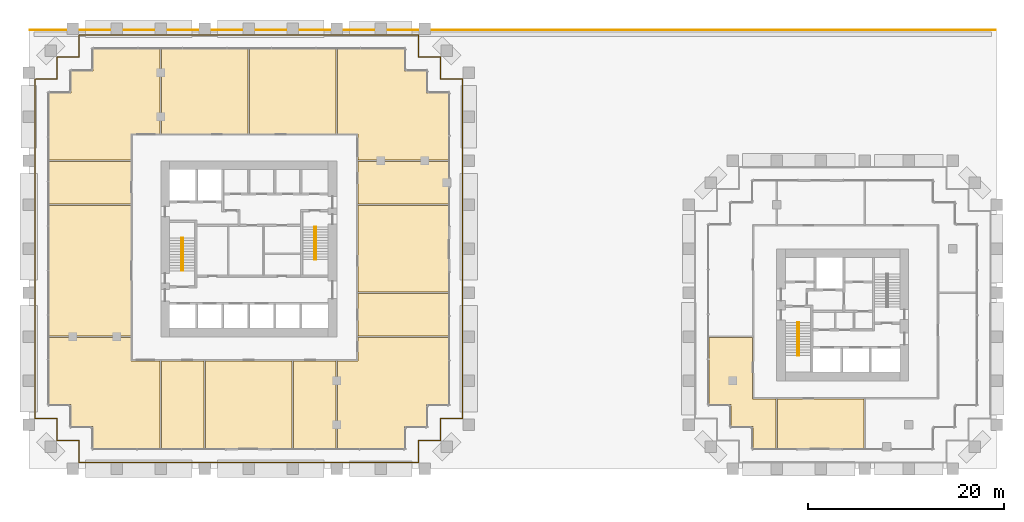
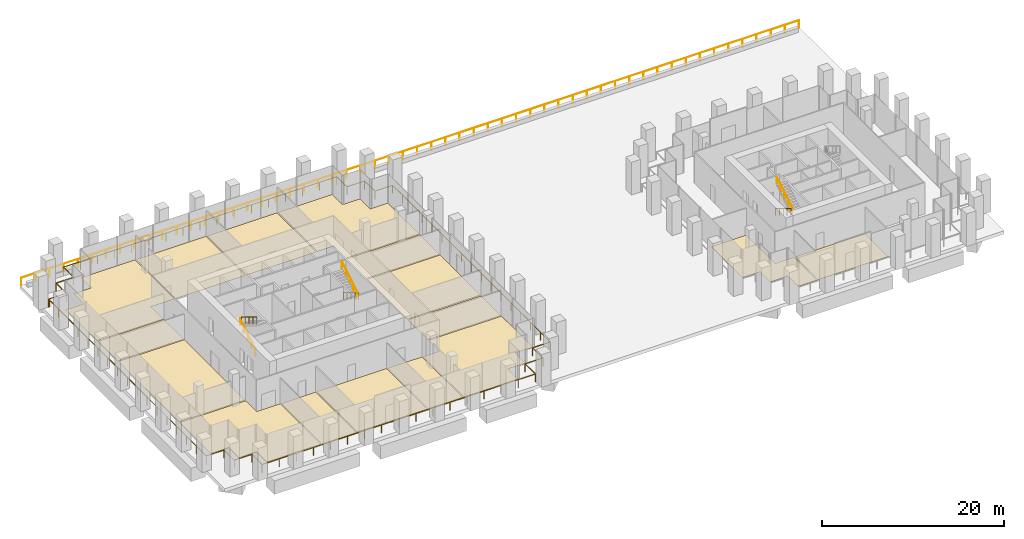
# One storey, part 31 of 32: 16 coverings, 8 railings.
"""IFC4 building model written with IfcOpenShell, lengths in metres."""

from ifc_helpers import new_model, si_unit, direction, frame, origin, origin_2d, place, context, subcontext, project, spatial, polyline, circle, outline, extrude, source, transform, mapped, material, layer, layer_set, type_object, element, save


model = new_model("IFC4")

# Units and contexts
model_context = context("Model", 3, precision=1e-05, world=origin(), true_north=direction((0.0, 1.0)))
body_context = subcontext(model_context, "Body", "Model", "MODEL_VIEW")
ifc_project = project(units=[si_unit("LENGTHUNIT", "METRE"), si_unit("AREAUNIT", "SQUARE_METRE"), si_unit("VOLUMEUNIT", "CUBIC_METRE"), si_unit("PLANEANGLEUNIT", "RADIAN"), si_unit("MASSUNIT", "GRAM", prefix="KILO")], contexts=[model_context])

# Site, building, storey
site_placement = place(None, origin())
site = spatial("IfcSite", under=ifc_project, at=site_placement, CompositionType="ELEMENT")
building_placement = place(site_placement, origin())
building = spatial("IfcBuilding", under=site, at=building_placement, Name="Altepetl Exchange Towers", CompositionType="ELEMENT")
storey_placement = place(building_placement, frame((0.0, 0.0, 21.0)))
storey = spatial("IfcBuildingStorey", under=building, at=storey_placement, Name="L04", CompositionType="ELEMENT", Elevation=21.0)

# Coverings
ifc_material_1 = material(Name="Carpet tile")
ifc_layer_1 = layer(ifc_material_1, 0.02001953125)
ifc_layer_set_1 = layer_set([ifc_layer_1], Name="Carpet tile")
covering_type_1 = type_object("IfcCoveringType", Name="Carpet tile floor", PredefinedType="FLOORING", material=ifc_layer_set_1)
covering_1_placement = place(storey_placement, origin())
element("IfcCovering", 1, at=covering_1_placement, inside=storey, type_object=covering_type_1, Name="Quiet room floor finish A04.03", PredefinedType="FLOORING", context=body_context, shape_type="SweptSolid", body=[
    extrude(outline(polyline([(44.9375, 29.0625), (44.9375, 38.03759765625), (40.5625, 38.03759765625), (40.5625, 29.0625), (44.9375, 29.0625)])), origin(), (0.0, 0.0, 1.0), 0.02001953125),
])
covering_2_placement = place(storey_placement, origin())
element("IfcCovering", 2, at=covering_2_placement, inside=storey, type_object=covering_type_1, Name="Pantry floor finish A04.05", PredefinedType="FLOORING", context=body_context, shape_type="SweptSolid", body=[
    extrude(outline(polyline([(58.4375, 29.0625), (58.4375, 38.03759765625), (54.0625, 38.03759765625), (54.0625, 29.0625), (58.4375, 29.0625)])), origin(), (0.0, 0.0, 1.0), 0.02001953125),
])
covering_3_placement = place(storey_placement, origin())
element("IfcCovering", 3, at=covering_3_placement, inside=storey, type_object=covering_type_1, Name="Open office floor finish A04.06", PredefinedType="FLOORING", context=body_context, shape_type="SweptSolid", body=[
    extrude(outline(polyline([(58.5625, 29.0625), (65.4375, 29.0625), (65.4375, 31.3125), (67.6875, 31.3125), (67.6875, 33.5625), (69.9375, 33.5625), (69.9375, 40.4375), (60.66259765625, 40.4375), (60.66259765625, 38.03759765625), (58.5625, 38.03759765625), (58.5625, 29.0625)])), origin(), (0.0, 0.0, 1.0), 0.02001953125),
])
covering_4_placement = place(storey_placement, origin())
element("IfcCovering", 4, at=covering_4_placement, inside=storey, type_object=covering_type_1, Name="Interview room floor finish A04.07", PredefinedType="FLOORING", context=body_context, shape_type="SweptSolid", body=[
    extrude(outline(polyline([(69.9375, 44.9375), (60.66259765625, 44.9375), (60.66259765625, 40.5625), (69.9375, 40.5625), (69.9375, 44.9375)])), origin(), (0.0, 0.0, 1.0), 0.02001953125),
])
covering_5_placement = place(storey_placement, origin())
element("IfcCovering", 5, at=covering_5_placement, inside=storey, type_object=covering_type_1, Name="Open office floor finish A04.11", PredefinedType="FLOORING", context=body_context, shape_type="SweptSolid", body=[
    extrude(outline(polyline([(49.5625, 69.9375), (49.5625, 61.262451171875), (58.4375, 61.262451171875), (58.4375, 69.9375), (49.5625, 69.9375)])), origin(), (0.0, 0.0, 1.0), 0.02001953125),
])
covering_6_placement = place(storey_placement, origin())
element("IfcCovering", 6, at=covering_6_placement, inside=storey, type_object=covering_type_1, Name="Meeting room floor finish A04.12", PredefinedType="FLOORING", context=body_context, shape_type="SweptSolid", body=[
    extrude(outline(polyline([(40.5625, 69.9375), (40.5625, 61.262451171875), (49.4375, 61.262451171875), (49.4375, 69.9375), (40.5625, 69.9375)])), origin(), (0.0, 0.0, 1.0), 0.02001953125),
])
covering_7_placement = place(storey_placement, origin())
element("IfcCovering", 7, at=covering_7_placement, inside=storey, type_object=covering_type_1, Name="Open office floor finish A04.13", PredefinedType="FLOORING", context=body_context, shape_type="SweptSolid", body=[
    extrude(outline(polyline([(33.5625, 67.6875), (31.3125, 67.6875), (31.3125, 65.4375), (29.0625, 65.4375), (29.0625, 58.5625), (37.4375, 58.5625), (37.4375, 61.262451171875), (40.4375, 61.262451171875), (40.4375, 69.9375), (33.5625, 69.9375), (33.5625, 67.6875)])), origin(), (0.0, 0.0, 1.0), 0.02001953125),
])
covering_8_placement = place(storey_placement, origin())
element("IfcCovering", 8, at=covering_8_placement, inside=storey, type_object=covering_type_1, Name="Meeting room floor finish B04.01", PredefinedType="FLOORING", context=body_context, shape_type="SweptSolid", body=[
    extrude(outline(polyline([(101.03759765625, 40.4375), (96.5625, 40.4375), (96.5625, 33.5625), (98.8125, 33.5625), (98.8125, 31.3125), (101.0625, 31.3125), (101.0625, 29.0625), (103.4375, 29.0625), (103.4375, 34.137451171875), (101.03759765625, 34.137451171875), (101.03759765625, 40.4375)])), origin(), (0.0, 0.0, 1.0), 0.02001953125),
])
covering_9_placement = place(storey_placement, origin())
element("IfcCovering", 9, at=covering_9_placement, inside=storey, type_object=covering_type_1, Name="Quiet room floor finish B04.02", PredefinedType="FLOORING", context=body_context, shape_type="SweptSolid", body=[
    extrude(outline(polyline([(103.5625, 34.137451171875), (103.5625, 29.0625), (112.4375, 29.0625), (112.4375, 34.137451171875), (103.5625, 34.137451171875)])), origin(), (0.0, 0.0, 1.0), 0.02001953125),
])
ifc_material_2 = material(Name="Calcium sulphate access floor panel")
ifc_layer_2 = layer(ifc_material_2, 0.0400390625)
ifc_layer_set_2 = layer_set([ifc_layer_2], Name="Calcium sulphate access floor panel")
covering_type_2 = type_object("IfcCoveringType", Name="Raised access floor panels", PredefinedType="FLOORING", material=ifc_layer_set_2)
covering_10_placement = place(storey_placement, origin())
element("IfcCovering", 10, at=covering_10_placement, inside=storey, type_object=covering_type_2, Name="Trading office floor finish A04.01", PredefinedType="FLOORING", context=body_context, shape_type="SweptSolid", body=[
    extrude(outline(polyline([(29.0625, 40.5625), (37.4375, 40.5625), (37.4375, 53.9375), (29.0625, 53.9375), (29.0625, 40.5625)])), origin(), (0.0, 0.0, 1.0), 0.0400390625),
])
covering_11_placement = place(storey_placement, origin())
element("IfcCovering", 11, at=covering_11_placement, inside=storey, type_object=covering_type_2, Name="Trading office floor finish A04.02", PredefinedType="FLOORING", context=body_context, shape_type="SweptSolid", body=[
    extrude(outline(polyline([(40.4375, 29.0625), (40.4375, 38.03759765625), (37.4375, 38.03759765625), (37.4375, 40.4375), (29.0625, 40.4375), (29.0625, 33.5625), (31.3125, 33.5625), (31.3125, 31.3125), (33.5625, 31.3125), (33.5625, 29.0625), (40.4375, 29.0625)])), origin(), (0.0, 0.0, 1.0), 0.0400390625),
])
covering_12_placement = place(storey_placement, origin())
element("IfcCovering", 12, at=covering_12_placement, inside=storey, type_object=covering_type_2, Name="Trading office floor finish A04.04", PredefinedType="FLOORING", context=body_context, shape_type="SweptSolid", body=[
    extrude(outline(polyline([(53.9375, 29.0625), (53.9375, 38.03759765625), (45.0625, 38.03759765625), (45.0625, 29.0625), (53.9375, 29.0625)])), origin(), (0.0, 0.0, 1.0), 0.0400390625),
])
covering_13_placement = place(storey_placement, origin())
element("IfcCovering", 13, at=covering_13_placement, inside=storey, type_object=covering_type_2, Name="Broker office floor finish A04.08", PredefinedType="FLOORING", context=body_context, shape_type="SweptSolid", body=[
    extrude(outline(polyline([(69.9375, 53.9375), (60.66259765625, 53.9375), (60.66259765625, 45.0625), (69.9375, 45.0625), (69.9375, 53.9375)])), origin(), (0.0, 0.0, 1.0), 0.0400390625),
])
covering_14_placement = place(storey_placement, origin())
element("IfcCovering", 14, at=covering_14_placement, inside=storey, type_object=covering_type_2, Name="Data room floor finish A04.09", PredefinedType="FLOORING", context=body_context, shape_type="SweptSolid", body=[
    extrude(outline(polyline([(69.9375, 58.4375), (60.66259765625, 58.4375), (60.66259765625, 54.0625), (69.9375, 54.0625), (69.9375, 58.4375)])), origin(), (0.0, 0.0, 1.0), 0.0400390625),
])
covering_15_placement = place(storey_placement, origin())
element("IfcCovering", 15, at=covering_15_placement, inside=storey, type_object=covering_type_2, Name="Broker office floor finish A04.10", PredefinedType="FLOORING", context=body_context, shape_type="SweptSolid", body=[
    extrude(outline(polyline([(58.5625, 69.9375), (58.5625, 61.262451171875), (60.66259765625, 61.262451171875), (60.66259765625, 58.5625), (69.9375, 58.5625), (69.9375, 65.4375), (67.6875, 65.4375), (67.6875, 67.6875), (65.4375, 67.6875), (65.4375, 69.9375), (58.5625, 69.9375)])), origin(), (0.0, 0.0, 1.0), 0.0400390625),
])
covering_16_placement = place(storey_placement, origin())
element("IfcCovering", 16, at=covering_16_placement, inside=storey, type_object=covering_type_2, Name="Data room floor finish A04.14", PredefinedType="FLOORING", context=body_context, shape_type="SweptSolid", body=[
    extrude(outline(polyline([(29.0625, 54.0625), (37.4375, 54.0625), (37.4375, 58.4375), (29.0625, 58.4375), (29.0625, 54.0625)])), origin(), (0.0, 0.0, 1.0), 0.0400390625),
])

# Railings
ifc_material_3 = material(Name="Steel S355", Category="steel")
railing_type_1 = type_object("IfcRailingType", Name="Guard 1100 steel posts and rail", PredefinedType="GUARDRAIL", material=ifc_material_3)
shared_shape_1 = source(origin(), body_context, "Body", "SweptSolid", [
    extrude(circle(Radius=0.02099609375, at=origin_2d()), origin(), (0.0, 0.0, 1.0), 1.052001953125),
])
railing_1_placement = place(storey_placement, frame((125.89990234375, 71.89990234375, 0.0)))
element("IfcRailing", 17, at=railing_1_placement, inside=storey, type_object=railing_type_1, Name="Terrace guard", PredefinedType="GUARDRAIL", context=body_context, shape_type="SweptSolid", body=[
    extrude(circle(Radius=0.02392578125, at=origin_2d()), frame((0.0, 0.0, 1.076171875), z_axis=(-1.0, 0.0, 0.0), x_axis=(0.0, -1.0, 0.0)), (0.0, 0.0, 1.0), 98.7998046875),
    mapped(shared_shape_1, transform((0.0, 0.0, 0.0))),
    mapped(shared_shape_1, transform((-1.79638671875, 0.0, 0.0))),
    mapped(shared_shape_1, transform((-3.5927734375, 0.0, 0.0))),
    mapped(shared_shape_1, transform((-5.38916015625, 0.0, 0.0))),
    mapped(shared_shape_1, transform((-7.185546875, 0.0, 0.0))),
    mapped(shared_shape_1, transform((-8.981689453125, 0.0, 0.0))),
    mapped(shared_shape_1, transform((-10.778076171875, 0.0, 0.0))),
    mapped(shared_shape_1, transform((-12.574462890625, 0.0, 0.0))),
    mapped(shared_shape_1, transform((-14.370849609375, 0.0, 0.0))),
    mapped(shared_shape_1, transform((-16.167236328125, 0.0, 0.0))),
    mapped(shared_shape_1, transform((-17.963623046875, 0.0, 0.0))),
    mapped(shared_shape_1, transform((-19.760009765625, 0.0, 0.0))),
    mapped(shared_shape_1, transform((-21.556396484375, 0.0, 0.0))),
    mapped(shared_shape_1, transform((-23.352783203125, 0.0, 0.0))),
    mapped(shared_shape_1, transform((-25.14892578125, 0.0, 0.0))),
    mapped(shared_shape_1, transform((-26.9453125, 0.0, 0.0))),
    mapped(shared_shape_1, transform((-28.74169921875, 0.0, 0.0))),
    mapped(shared_shape_1, transform((-30.5380859375, 0.0, 0.0))),
    mapped(shared_shape_1, transform((-32.33447265625, 0.0, 0.0))),
    mapped(shared_shape_1, transform((-34.130859375, 0.0, 0.0))),
    mapped(shared_shape_1, transform((-35.92724609375, 0.0, 0.0))),
    mapped(shared_shape_1, transform((-37.7236328125, 0.0, 0.0))),
    mapped(shared_shape_1, transform((-39.52001953125, 0.0, 0.0))),
    mapped(shared_shape_1, transform((-41.316162109375, 0.0, 0.0))),
    mapped(shared_shape_1, transform((-43.112548828125, 0.0, 0.0))),
    mapped(shared_shape_1, transform((-44.908935546875, 0.0, 0.0))),
    mapped(shared_shape_1, transform((-46.705322265625, 0.0, 0.0))),
    mapped(shared_shape_1, transform((-48.501708984375, 0.0, 0.0))),
    mapped(shared_shape_1, transform((-50.298095703125, 0.0, 0.0))),
    mapped(shared_shape_1, transform((-52.094482421875, 0.0, 0.0))),
    mapped(shared_shape_1, transform((-53.890869140625, 0.0, 0.0))),
    mapped(shared_shape_1, transform((-55.687255859375, 0.0, 0.0))),
    mapped(shared_shape_1, transform((-57.483642578125, 0.0, 0.0))),
    mapped(shared_shape_1, transform((-59.27978515625, 0.0, 0.0))),
    mapped(shared_shape_1, transform((-61.076171875, 0.0, 0.0))),
    mapped(shared_shape_1, transform((-62.87255859375, 0.0, 0.0))),
    mapped(shared_shape_1, transform((-64.6689453125, 0.0, 0.0))),
    mapped(shared_shape_1, transform((-66.46533203125, 0.0, 0.0))),
    mapped(shared_shape_1, transform((-68.26171875, 0.0, 0.0))),
    mapped(shared_shape_1, transform((-70.05810546875, 0.0, 0.0))),
    mapped(shared_shape_1, transform((-71.8544921875, 0.0, 0.0))),
    mapped(shared_shape_1, transform((-73.65087890625, 0.0, 0.0))),
    mapped(shared_shape_1, transform((-75.447021484375, 0.0, 0.0))),
    mapped(shared_shape_1, transform((-77.243408203125, 0.0, 0.0))),
    mapped(shared_shape_1, transform((-79.039794921875, 0.0, 0.0))),
    mapped(shared_shape_1, transform((-80.836181640625, 0.0, 0.0))),
    mapped(shared_shape_1, transform((-82.632568359375, 0.0, 0.0))),
    mapped(shared_shape_1, transform((-84.428955078125, 0.0, 0.0))),
    mapped(shared_shape_1, transform((-86.225341796875, 0.0, 0.0))),
    mapped(shared_shape_1, transform((-88.021728515625, 0.0, 0.0))),
    mapped(shared_shape_1, transform((-89.818115234375, 0.0, 0.0))),
    mapped(shared_shape_1, transform((-91.6142578125, 0.0, 0.0))),
    mapped(shared_shape_1, transform((-93.41064453125, 0.0, 0.0))),
    mapped(shared_shape_1, transform((-95.20703125, 0.0, 0.0))),
    mapped(shared_shape_1, transform((-97.00341796875, 0.0, 0.0))),
    mapped(shared_shape_1, transform((-98.7998046875, 0.0, 0.0))),
])
railing_2_placement = place(storey_placement, frame((27.64990234375, 66.85009765625, 0.0)))
element("IfcRailing", 18, at=railing_2_placement, inside=storey, type_object=railing_type_1, Name="Loggia guard", PredefinedType="GUARDRAIL", context=body_context, shape_type="SweptSolid", body=[
    extrude(circle(Radius=0.02392578125, at=origin_2d()), frame((0.0, 0.0, 1.076171875), z_axis=(0.0, -1.0, 0.0), x_axis=(1.0, 0.0, 0.0)), (0.0, 0.0, 1.0), 34.7001953125),
    extrude(circle(Radius=0.02392578125, at=origin_2d()), frame((0.0, -34.7001953125, 1.076171875), z_axis=(1.0, 0.0, 0.0), x_axis=(0.0, 1.0, 0.0)), (0.0, 0.0, 1.0), 2.25),
    extrude(circle(Radius=0.02392578125, at=origin_2d()), frame((2.25, -34.7001953125, 1.076171875), z_axis=(0.0, -1.0, 0.0), x_axis=(1.0, 0.0, 0.0)), (0.0, 0.0, 1.0), 2.25),
    extrude(circle(Radius=0.02392578125, at=origin_2d()), frame((2.25, -36.9501953125, 1.076171875), z_axis=(1.0, 0.0, 0.0), x_axis=(0.0, 1.0, 0.0)), (0.0, 0.0, 1.0), 2.25),
    extrude(circle(Radius=0.02392578125, at=origin_2d()), frame((4.5, -36.9501953125, 1.076171875), z_axis=(0.0, -1.0, 0.0), x_axis=(1.0, 0.0, 0.0)), (0.0, 0.0, 1.0), 2.25),
    extrude(circle(Radius=0.02392578125, at=origin_2d()), frame((4.5, -39.2001953125, 1.076171875), z_axis=(1.0, 0.0, 0.0), x_axis=(0.0, 1.0, 0.0)), (0.0, 0.0, 1.0), 34.7001953125),
    extrude(circle(Radius=0.02392578125, at=origin_2d()), frame((39.2001953125, -39.2001953125, 1.076171875), z_axis=(0.0, 1.0, 0.0), x_axis=(-1.0, 0.0, 0.0)), (0.0, 0.0, 1.0), 2.25),
    extrude(circle(Radius=0.02392578125, at=origin_2d()), frame((39.2001953125, -36.9501953125, 1.076171875), z_axis=(1.0, 0.0, 0.0), x_axis=(0.0, 1.0, 0.0)), (0.0, 0.0, 1.0), 2.25),
    extrude(circle(Radius=0.02392578125, at=origin_2d()), frame((41.4501953125, -36.9501953125, 1.076171875), z_axis=(0.0, 1.0, 0.0), x_axis=(-1.0, 0.0, 0.0)), (0.0, 0.0, 1.0), 2.25),
    extrude(circle(Radius=0.02392578125, at=origin_2d()), frame((41.4501953125, -34.7001953125, 1.076171875), z_axis=(1.0, 0.0, 0.0), x_axis=(0.0, 1.0, 0.0)), (0.0, 0.0, 1.0), 2.25),
    extrude(circle(Radius=0.02392578125, at=origin_2d()), frame((43.7001953125, -34.7001953125, 1.076171875), z_axis=(0.0, 1.0, 0.0), x_axis=(-1.0, 0.0, 0.0)), (0.0, 0.0, 1.0), 34.7001953125),
    extrude(circle(Radius=0.02392578125, at=origin_2d()), frame((43.7001953125, 0.0, 1.076171875), z_axis=(-1.0, 0.0, 0.0), x_axis=(0.0, -1.0, 0.0)), (0.0, 0.0, 1.0), 2.25),
    extrude(circle(Radius=0.02392578125, at=origin_2d()), frame((41.4501953125, 0.0, 1.076171875), z_axis=(0.0, 1.0, 0.0), x_axis=(-1.0, 0.0, 0.0)), (0.0, 0.0, 1.0), 2.25),
    extrude(circle(Radius=0.02392578125, at=origin_2d()), frame((41.4501953125, 2.25, 1.076171875), z_axis=(-1.0, 0.0, 0.0), x_axis=(0.0, -1.0, 0.0)), (0.0, 0.0, 1.0), 2.25),
    extrude(circle(Radius=0.02392578125, at=origin_2d()), frame((39.2001953125, 2.25, 1.076171875), z_axis=(0.0, 1.0, 0.0), x_axis=(-1.0, 0.0, 0.0)), (0.0, 0.0, 1.0), 2.25),
    extrude(circle(Radius=0.02392578125, at=origin_2d()), frame((39.2001953125, 4.5, 1.076171875), z_axis=(-1.0, 0.0, 0.0), x_axis=(0.0, -1.0, 0.0)), (0.0, 0.0, 1.0), 34.7001953125),
    extrude(circle(Radius=0.02392578125, at=origin_2d()), frame((4.5, 4.5, 1.076171875), z_axis=(0.0, -1.0, 0.0), x_axis=(1.0, 0.0, 0.0)), (0.0, 0.0, 1.0), 2.25),
    extrude(circle(Radius=0.02392578125, at=origin_2d()), frame((4.5, 2.25, 1.076171875), z_axis=(-1.0, 0.0, 0.0), x_axis=(0.0, -1.0, 0.0)), (0.0, 0.0, 1.0), 2.25),
    extrude(circle(Radius=0.02392578125, at=origin_2d()), frame((2.25, 2.25, 1.076171875), z_axis=(0.0, -1.0, 0.0), x_axis=(1.0, 0.0, 0.0)), (0.0, 0.0, 1.0), 2.25),
    extrude(circle(Radius=0.02392578125, at=origin_2d()), frame((2.25, 0.0, 1.076171875), z_axis=(-1.0, 0.0, 0.0), x_axis=(0.0, -1.0, 0.0)), (0.0, 0.0, 1.0), 2.14990234375),
    mapped(shared_shape_1, transform((0.0, 0.0, 0.0))),
    mapped(shared_shape_1, transform((0.0, -2.168701171875, 0.0))),
    mapped(shared_shape_1, transform((0.0, -4.33740234375, 0.0))),
    mapped(shared_shape_1, transform((0.0, -6.50634765625, 0.0))),
    mapped(shared_shape_1, transform((0.0, -8.675048828125, 0.0))),
    mapped(shared_shape_1, transform((0.0, -10.84375, 0.0))),
    mapped(shared_shape_1, transform((0.0, -13.0126953125, 0.0))),
    mapped(shared_shape_1, transform((0.0, -15.181396484375, 0.0))),
    mapped(shared_shape_1, transform((0.0, -17.35009765625, 0.0))),
    mapped(shared_shape_1, transform((0.0, -19.518798828125, 0.0))),
    mapped(shared_shape_1, transform((0.0, -21.6875, 0.0))),
    mapped(shared_shape_1, transform((0.0, -23.8564453125, 0.0))),
    mapped(shared_shape_1, transform((0.0, -26.025146484375, 0.0))),
    mapped(shared_shape_1, transform((0.0, -28.19384765625, 0.0))),
    mapped(shared_shape_1, transform((0.0, -30.36279296875, 0.0))),
    mapped(shared_shape_1, transform((0.0, -32.531494140625, 0.0))),
    mapped(shared_shape_1, transform((0.0, -34.7001953125, 0.0))),
    mapped(shared_shape_1, transform((2.25, -34.7001953125, 0.0))),
    mapped(shared_shape_1, transform((2.25, -36.9501953125, 0.0))),
    mapped(shared_shape_1, transform((4.5, -36.9501953125, 0.0))),
    mapped(shared_shape_1, transform((4.5, -39.2001953125, 0.0))),
    mapped(shared_shape_1, transform((6.668701171875, -39.2001953125, 0.0))),
    mapped(shared_shape_1, transform((8.83740234375, -39.2001953125, 0.0))),
    mapped(shared_shape_1, transform((11.00634765625, -39.2001953125, 0.0))),
    mapped(shared_shape_1, transform((13.175048828125, -39.2001953125, 0.0))),
    mapped(shared_shape_1, transform((15.34375, -39.2001953125, 0.0))),
    mapped(shared_shape_1, transform((17.5126953125, -39.2001953125, 0.0))),
    mapped(shared_shape_1, transform((19.681396484375, -39.2001953125, 0.0))),
    mapped(shared_shape_1, transform((21.85009765625, -39.2001953125, 0.0))),
    mapped(shared_shape_1, transform((24.018798828125, -39.2001953125, 0.0))),
    mapped(shared_shape_1, transform((26.1875, -39.2001953125, 0.0))),
    mapped(shared_shape_1, transform((28.3564453125, -39.2001953125, 0.0))),
    mapped(shared_shape_1, transform((30.525146484375, -39.2001953125, 0.0))),
    mapped(shared_shape_1, transform((32.69384765625, -39.2001953125, 0.0))),
    mapped(shared_shape_1, transform((34.86279296875, -39.2001953125, 0.0))),
    mapped(shared_shape_1, transform((37.031494140625, -39.2001953125, 0.0))),
    mapped(shared_shape_1, transform((39.2001953125, -39.2001953125, 0.0))),
    mapped(shared_shape_1, transform((39.2001953125, -36.9501953125, 0.0))),
    mapped(shared_shape_1, transform((41.4501953125, -36.9501953125, 0.0))),
    mapped(shared_shape_1, transform((41.4501953125, -34.7001953125, 0.0))),
    mapped(shared_shape_1, transform((43.7001953125, -34.7001953125, 0.0))),
    mapped(shared_shape_1, transform((43.7001953125, -32.531494140625, 0.0))),
    mapped(shared_shape_1, transform((43.7001953125, -30.36279296875, 0.0))),
    mapped(shared_shape_1, transform((43.7001953125, -28.19384765625, 0.0))),
    mapped(shared_shape_1, transform((43.7001953125, -26.025146484375, 0.0))),
    mapped(shared_shape_1, transform((43.7001953125, -23.8564453125, 0.0))),
    mapped(shared_shape_1, transform((43.7001953125, -21.6875, 0.0))),
    mapped(shared_shape_1, transform((43.7001953125, -19.518798828125, 0.0))),
    mapped(shared_shape_1, transform((43.7001953125, -17.35009765625, 0.0))),
    mapped(shared_shape_1, transform((43.7001953125, -15.181396484375, 0.0))),
    mapped(shared_shape_1, transform((43.7001953125, -13.0126953125, 0.0))),
    mapped(shared_shape_1, transform((43.7001953125, -10.84375, 0.0))),
    mapped(shared_shape_1, transform((43.7001953125, -8.675048828125, 0.0))),
    mapped(shared_shape_1, transform((43.7001953125, -6.50634765625, 0.0))),
    mapped(shared_shape_1, transform((43.7001953125, -4.33740234375, 0.0))),
    mapped(shared_shape_1, transform((43.7001953125, -2.168701171875, 0.0))),
    mapped(shared_shape_1, transform((43.7001953125, 0.0, 0.0))),
    mapped(shared_shape_1, transform((41.4501953125, 0.0, 0.0))),
    mapped(shared_shape_1, transform((41.4501953125, 2.25, 0.0))),
    mapped(shared_shape_1, transform((39.2001953125, 2.25, 0.0))),
    mapped(shared_shape_1, transform((39.2001953125, 4.5, 0.0))),
    mapped(shared_shape_1, transform((37.031494140625, 4.5, 0.0))),
    mapped(shared_shape_1, transform((34.86279296875, 4.5, 0.0))),
    mapped(shared_shape_1, transform((32.69384765625, 4.5, 0.0))),
    mapped(shared_shape_1, transform((30.525146484375, 4.5, 0.0))),
    mapped(shared_shape_1, transform((28.3564453125, 4.5, 0.0))),
    mapped(shared_shape_1, transform((26.1875, 4.5, 0.0))),
    mapped(shared_shape_1, transform((24.018798828125, 4.5, 0.0))),
    mapped(shared_shape_1, transform((21.85009765625, 4.5, 0.0))),
    mapped(shared_shape_1, transform((19.681396484375, 4.5, 0.0))),
    mapped(shared_shape_1, transform((17.5126953125, 4.5, 0.0))),
    mapped(shared_shape_1, transform((15.34375, 4.5, 0.0))),
    mapped(shared_shape_1, transform((13.175048828125, 4.5, 0.0))),
    mapped(shared_shape_1, transform((11.00634765625, 4.5, 0.0))),
    mapped(shared_shape_1, transform((8.83740234375, 4.5, 0.0))),
    mapped(shared_shape_1, transform((6.668701171875, 4.5, 0.0))),
    mapped(shared_shape_1, transform((4.5, 4.5, 0.0))),
    mapped(shared_shape_1, transform((4.5, 2.25, 0.0))),
    mapped(shared_shape_1, transform((2.25, 2.25, 0.0))),
    mapped(shared_shape_1, transform((2.25, 0.0, 0.0))),
    mapped(shared_shape_1, transform((0.10009765625, 0.0, 0.0))),
])
ifc_material_4 = material(Name="Steel", Category="steel")
railing_type_2 = type_object("IfcRailingType", Name="Stair handrail 50 steel tube", PredefinedType="HANDRAIL", material=ifc_material_4)
shared_shape_2 = source(origin(), body_context, "Body", "SweptSolid", [
    extrude(circle(Radius=0.02099609375, at=origin_2d()), origin(), (0.0, 0.0, 1.0), 0.851806640625),
])
railing_3_placement = place(storey_placement, frame((42.6201171875, 47.25, 0.169189453125)))
element("IfcRailing", 19, at=railing_3_placement, inside=storey, type_object=railing_type_2, Name="Stair handrail", PredefinedType="HANDRAIL", context=body_context, shape_type="SweptSolid", body=[
    extrude(circle(Radius=0.02392578125, at=origin_2d()), frame((0.0, 0.0, 0.8759765625), z_axis=(0.0, 0.855836976705, 0.517245656632), x_axis=(-1.0, 0.0, 0.0)), (0.0, 0.0, 1.0), 3.926025390625),
    mapped(shared_shape_2, transform((0.0, 0.0, 0.0))),
    mapped(shared_shape_2, transform((0.0, 0.840087890625, 0.5078125))),
    mapped(shared_shape_2, transform((0.0, 1.68017578125, 1.015380859375))),
    mapped(shared_shape_2, transform((0.0, 2.52001953125, 1.52294921875))),
    mapped(shared_shape_2, transform((0.0, 3.360107421875, 2.03076171875))),
])
for number, where, name in (
    (20, (42.780029296875, 50.610107421875, 2.369140625), "Stair handrail"),
    (21, (56.3798828125, 51.75, 0.169189453125), "Stair handrail"),
):
    element("IfcRailing", number, at=place(storey_placement, frame(where)), inside=storey, type_object=railing_type_2, Name=name, PredefinedType="HANDRAIL", context=body_context, shape_type="SweptSolid", body=[
        extrude(circle(Radius=0.02392578125, at=origin_2d()), frame((0.0, 0.0, 0.8759765625), z_axis=(0.0, -0.855836976705, 0.517245656632), x_axis=(1.0, 0.0, 0.0)), (0.0, 0.0, 1.0), 3.926025390625),
        mapped(shared_shape_2, transform((0.0, 0.0, 0.0))),
        mapped(shared_shape_2, transform((0.0, -0.840087890625, 0.5078125))),
        mapped(shared_shape_2, transform((0.0, -1.68017578125, 1.015380859375))),
        mapped(shared_shape_2, transform((0.0, -2.52001953125, 1.52294921875))),
        mapped(shared_shape_2, transform((0.0, -3.360107421875, 2.03076171875))),
    ])
railing_4_placement = place(storey_placement, frame((56.219970703125, 48.389892578125, 2.369140625)))
element("IfcRailing", 22, at=railing_4_placement, inside=storey, type_object=railing_type_2, Name="Stair handrail", PredefinedType="HANDRAIL", context=body_context, shape_type="SweptSolid", body=[
    extrude(circle(Radius=0.02392578125, at=origin_2d()), frame((0.0, 0.0, 0.8759765625), z_axis=(0.0, 0.855836976705, 0.517245656632), x_axis=(-1.0, 0.0, 0.0)), (0.0, 0.0, 1.0), 3.926025390625),
    mapped(shared_shape_2, transform((0.0, 0.0, 0.0))),
    mapped(shared_shape_2, transform((0.0, 0.840087890625, 0.5078125))),
    mapped(shared_shape_2, transform((0.0, 1.68017578125, 1.015380859375))),
    mapped(shared_shape_2, transform((0.0, 2.52001953125, 1.52294921875))),
    mapped(shared_shape_2, transform((0.0, 3.360107421875, 2.03076171875))),
])
railing_5_placement = place(storey_placement, frame((105.6201171875, 41.949951171875, 0.169189453125)))
element("IfcRailing", 23, at=railing_5_placement, inside=storey, type_object=railing_type_2, Name="Stair handrail", PredefinedType="HANDRAIL", context=body_context, shape_type="SweptSolid", body=[
    extrude(circle(Radius=0.02392578125, at=origin_2d()), frame((0.0, 0.0, 0.8759765625), z_axis=(0.0, -0.855820338506, 0.51727318527), x_axis=(1.0, 0.0, 0.0)), (0.0, 0.0, 1.0), 3.92578125),
    mapped(shared_shape_2, transform((0.0, 0.0, 0.0))),
    mapped(shared_shape_2, transform((0.0, -0.83984375, 0.5078125))),
    mapped(shared_shape_2, transform((0.0, -1.679931640625, 1.015380859375))),
    mapped(shared_shape_2, transform((0.0, -2.52001953125, 1.52294921875))),
    mapped(shared_shape_2, transform((0.0, -3.35986328125, 2.03076171875))),
])
railing_6_placement = place(storey_placement, frame((105.780029296875, 38.590087890625, 2.369140625)))
element("IfcRailing", 24, at=railing_6_placement, inside=storey, type_object=railing_type_2, Name="Stair handrail", PredefinedType="HANDRAIL", context=body_context, shape_type="SweptSolid", body=[
    extrude(circle(Radius=0.02392578125, at=origin_2d()), frame((0.0, 0.0, 0.8759765625), z_axis=(0.0, 0.855820338506, 0.51727318527), x_axis=(-1.0, 0.0, 0.0)), (0.0, 0.0, 1.0), 3.92578125),
    mapped(shared_shape_2, transform((0.0, 0.0, 0.0))),
    mapped(shared_shape_2, transform((0.0, 0.83984375, 0.5078125))),
    mapped(shared_shape_2, transform((0.0, 1.679931640625, 1.015380859375))),
    mapped(shared_shape_2, transform((0.0, 2.52001953125, 1.52294921875))),
    mapped(shared_shape_2, transform((0.0, 3.35986328125, 2.03076171875))),
])

save(model, "model.ifc")
